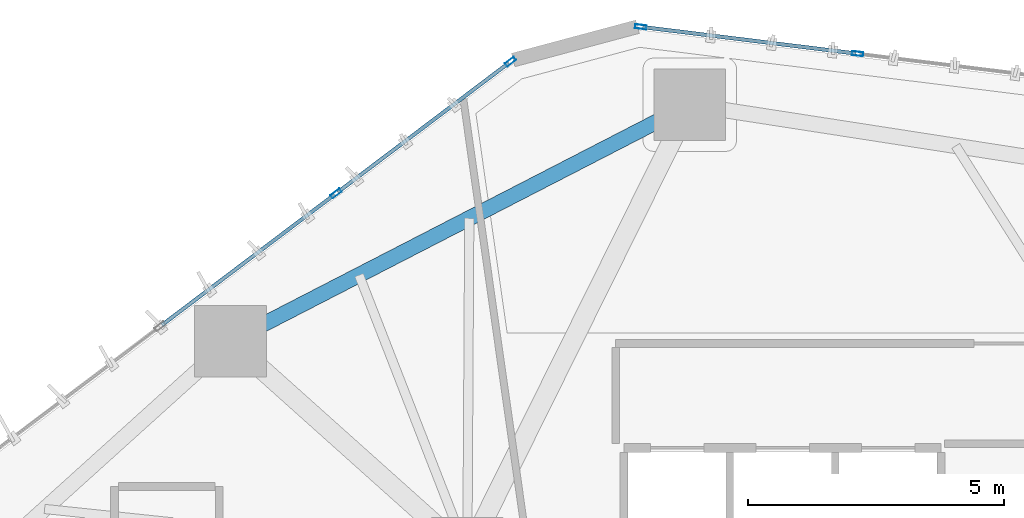
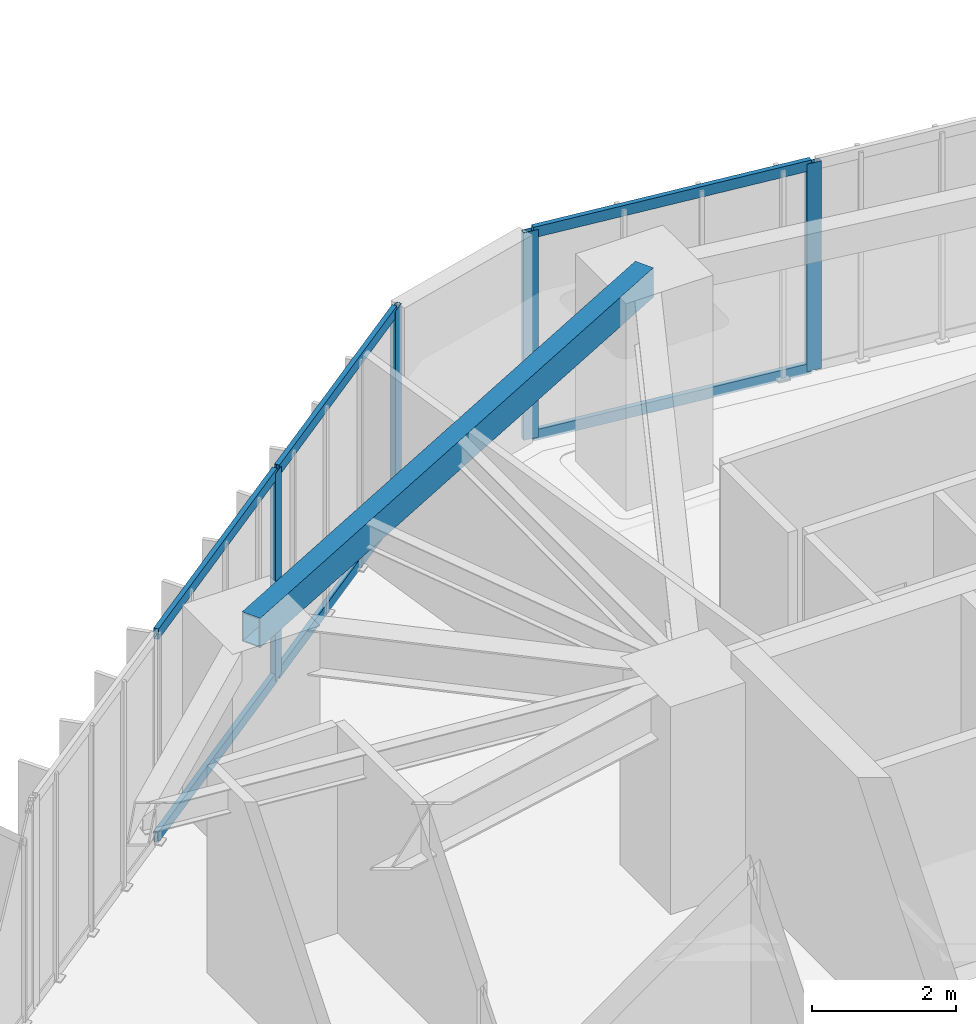
# One storey, part 14 of 23: 10 members, 1 beam, 2 elements without a shape of their own.
"""IFC4 building model written with IfcOpenShell, lengths in metres."""

from ifc_helpers import new_model, si_unit, direction, frame, origin, origin_2d, place, context, subcontext, project, spatial, hollow_rectangle, extrude, source, transform, mapped, material, layer, layer_set, material_profile, profile_set, type_object, type_shapes, element, aggregate, save


model = new_model("IFC4")

# Units and contexts
model_context = context("Model", 3, precision=1e-05, world=origin(), true_north=direction((0.0, 1.0)))
body_context = subcontext(model_context, "Body", "Model", "MODEL_VIEW")
ifc_project = project(units=[si_unit("LENGTHUNIT", "METRE"), si_unit("AREAUNIT", "SQUARE_METRE"), si_unit("VOLUMEUNIT", "CUBIC_METRE"), si_unit("PLANEANGLEUNIT", "RADIAN"), si_unit("MASSUNIT", "GRAM", prefix="KILO")], contexts=[model_context])

# Site, building, storey
site_placement = place(None, origin())
site = spatial("IfcSite", under=ifc_project, at=site_placement, CompositionType="ELEMENT")
building_placement = place(site_placement, origin())
building = spatial("IfcBuilding", under=site, at=building_placement, Name="Talar Marvaseh", CompositionType="ELEMENT")
storey_placement = place(building_placement, frame((0.0, 0.0, 69.60009765625)))
storey = spatial("IfcBuildingStorey", under=building, at=storey_placement, Name="L17", CompositionType="ELEMENT", Elevation=69.60009765625)

# Beam
ifc_material_1 = material(Name="Steel S355", Category="steel")
ifc_material_profile_1 = material_profile(ifc_material_1, hollow_rectangle(XDim=0.300048828125, YDim=0.5, WallThickness=0.02001953125, at=origin_2d()), Name="RHS500x300x20")
ifc_profile_set_1 = profile_set([ifc_material_profile_1], Name="Steel S355")
beam_type = type_object("IfcBeamType", Name="Zone 1 Perimeter Spandrel Beam RHS500x300x20", PredefinedType="SPANDREL", material=ifc_profile_set_1)
beam_placement = place(storey_placement, frame((14.069091796875, 41.04296875, 3.27001953125), z_axis=(0.889015710182, 0.457876694155, 0.0), x_axis=(-0.457876694155, 0.889015710182, 0.0)))
element("IfcBeam", 1, at=beam_placement, inside=storey, type_object=beam_type, Name="L17 Zone 1 Perimeter Spandrel Beam RHS500x300x20", PredefinedType="SPANDREL", context=body_context, shape_type="SweptSolid", body=[
    extrude(hollow_rectangle(XDim=0.300048828125, YDim=0.5, WallThickness=0.02001953125, at=origin_2d()), origin(), (0.0, 0.0, 1.0), 10.098876953125),
])

# Curtain wall, members
ifc_material_2 = material(Name="Architectural Aluminium", Category="aluminium")
ifc_layer = layer(ifc_material_2, 0.219970703125)
ifc_layer_set = layer_set([ifc_layer], Name="Architectural Aluminium")
curtain_wall_type = type_object("IfcCurtainWallType", Name="Unitised Low-E Museum Curtain Wall Z1", PredefinedType="NOTDEFINED", material=ifc_layer_set)
curtain_wall_1_placement = place(storey_placement, origin())
curtain_wall_1 = element("IfcCurtainWall", 2, at=curtain_wall_1_placement, inside=storey, type_object=curtain_wall_type, Name="L17 Unitised Low-E Museum Curtain Wall Z1", PredefinedType="NOTDEFINED")
ifc_material_profile_2 = material_profile(ifc_material_2, hollow_rectangle(XDim=0.080078125, YDim=0.219970703125, WallThickness=0.0048828125, at=origin_2d()), Name="RHS220x80x5")
ifc_profile_set_2 = profile_set([ifc_material_profile_2], Name="Architectural Aluminium")
member_type_1 = type_object("IfcMemberType", Name="Unitised Curtain Wall Heavy Mullion RHS220x80x5", PredefinedType="MULLION", material=ifc_profile_set_2)
shared_shape_1 = source(origin(), body_context, "Body", "SweptSolid", [
    extrude(hollow_rectangle(XDim=0.080078125, YDim=0.219970703125, WallThickness=0.0048828125, at=origin_2d()), origin(), (0.0, 0.0, 1.0), 3.52001953125),
])
type_shapes(member_type_1, [shared_shape_1])
member_1_placement = place(storey_placement, frame((16.13427734375, 43.93212890625, 0.0), z_axis=(0.0, 0.0, 1.0), x_axis=(-0.602762713543, 0.797920491755, 0.0)))
member_1 = element("IfcMember", 3, at=member_1_placement, type_object=member_type_1, Name="CW-Z1 mullion 4", PredefinedType="MULLION", context=body_context, shape_type="MappedRepresentation", body=[
    mapped(shared_shape_1, transform((0.0, 0.0, 0.0), x_axis=(1.0, 0.0, 0.0), y_axis=(0.0, 1.0, 0.0), z_axis=(0.0, 0.0, 1.0), scale=1.0)),
])
member_2_placement = place(storey_placement, frame((19.54296875, 46.507080078125, 0.0), z_axis=(0.0, 0.0, 1.0), x_axis=(-0.602762713543, 0.797920491755, 0.0)))
member_2 = element("IfcMember", 4, at=member_2_placement, type_object=member_type_1, Name="CW-Z1 mullion 5", PredefinedType="MULLION", context=body_context, shape_type="MappedRepresentation", body=[
    mapped(shared_shape_1, transform((0.0, 0.0, 0.0), x_axis=(1.0, 0.0, 0.0), y_axis=(0.0, 1.0, 0.0), z_axis=(0.0, 0.0, 1.0), scale=1.0)),
])

curtain_wall_2_placement = place(storey_placement, origin())
curtain_wall_2 = element("IfcCurtainWall", 5, at=curtain_wall_2_placement, inside=storey, type_object=curtain_wall_type, Name="L17 Unitised Low-E Museum Curtain Wall Z1", PredefinedType="NOTDEFINED")
member_3_placement = place(storey_placement, frame((22.08837890625, 47.18896484375, 0.0), z_axis=(0.0, 0.0, 1.0), x_axis=(0.123049205824, 0.992400570811, 0.0)))
member_3 = element("IfcMember", 6, at=member_3_placement, type_object=member_type_1, Name="CW-Z1 mullion 1", PredefinedType="MULLION", context=body_context, shape_type="MappedRepresentation", body=[
    mapped(shared_shape_1, transform((0.0, 0.0, 0.0), x_axis=(1.0, 0.0, 0.0), y_axis=(0.0, 1.0, 0.0), z_axis=(0.0, 0.0, 1.0), scale=1.0)),
])
member_4_placement = place(storey_placement, frame((26.327880859375, 46.663330078125, 0.0), z_axis=(0.0, 0.0, 1.0), x_axis=(0.123049205824, 0.992400570811, 0.0)))
member_4 = element("IfcMember", 7, at=member_4_placement, type_object=member_type_1, Name="CW-Z1 mullion 2", PredefinedType="MULLION", context=body_context, shape_type="MappedRepresentation", body=[
    mapped(shared_shape_1, transform((0.0, 0.0, 0.0), x_axis=(1.0, 0.0, 0.0), y_axis=(0.0, 1.0, 0.0), z_axis=(0.0, 0.0, 1.0), scale=1.0)),
])

# Member
ifc_material_profile_3 = material_profile(ifc_material_2, hollow_rectangle(XDim=0.074951171875, YDim=0.179931640625, WallThickness=0.0048828125, at=origin_2d()), Name="RHS180x75x5")
ifc_profile_set_3 = profile_set([ifc_material_profile_3], Name="Architectural Aluminium")
member_type_2 = type_object("IfcMemberType", Name="Unitised Curtain Wall Transom RHS180x75x5", PredefinedType="USERDEFINED", material=ifc_profile_set_3)
shared_shape_2 = source(origin(), body_context, "Body", "SweptSolid", [
    extrude(hollow_rectangle(XDim=0.074951171875, YDim=0.179931640625, WallThickness=0.0048828125, at=origin_2d()), origin(), (0.0, 0.0, 1.0), 4.19189453125),
])
member_5_placement = place(storey_placement, frame((16.166259765625, 43.956298828125, 0.037353515625), z_axis=(0.79792646006, 0.602754812785, 0.0), x_axis=(-0.602754812785, 0.79792646006, 0.0)))
member_5 = element("IfcMember", 8, at=member_5_placement, type_object=member_type_2, Name="CW-Z1 transom 4.1", ObjectType="TRANSOM", PredefinedType="USERDEFINED", context=body_context, shape_type="MappedRepresentation", body=[
    mapped(shared_shape_2, transform((0.0, 0.0, 0.0), x_axis=(1.0, 0.0, 0.0), y_axis=(0.0, 1.0, 0.0), z_axis=(0.0, 0.0, 1.0), scale=1.0)),
])

member_6_placement = place(storey_placement, frame((16.166259765625, 43.956298828125, 3.482421875), z_axis=(0.79792646006, 0.602754812785, 0.0), x_axis=(-0.602754812785, 0.79792646006, 0.0)))
member_6 = element("IfcMember", 9, at=member_6_placement, type_object=member_type_2, Name="CW-Z1 transom 4.2", ObjectType="TRANSOM", PredefinedType="USERDEFINED", context=body_context, shape_type="MappedRepresentation", body=[
    mapped(shared_shape_2, transform((0.0, 0.0, 0.0), x_axis=(1.0, 0.0, 0.0), y_axis=(0.0, 1.0, 0.0), z_axis=(0.0, 0.0, 1.0), scale=1.0)),
])

shared_shape_3 = source(origin(), body_context, "Body", "SweptSolid", [
    extrude(hollow_rectangle(XDim=0.074951171875, YDim=0.179931640625, WallThickness=0.0048828125, at=origin_2d()), origin(), (0.0, 0.0, 1.0), 4.23193359375),
])
member_7_placement = place(storey_placement, frame((12.725830078125, 41.357177734375, 0.037353515625), z_axis=(0.797925283353, 0.602756370506, 0.0), x_axis=(-0.602756370506, 0.797925283353, 0.0)))
member_7 = element("IfcMember", 10, at=member_7_placement, type_object=member_type_2, Name="CW-Z1 transom 3.1", ObjectType="TRANSOM", PredefinedType="USERDEFINED", context=body_context, shape_type="MappedRepresentation", body=[
    mapped(shared_shape_3, transform((0.0, 0.0, 0.0), x_axis=(1.0, 0.0, 0.0), y_axis=(0.0, 1.0, 0.0), z_axis=(0.0, 0.0, 1.0), scale=1.0)),
])

member_8_placement = place(storey_placement, frame((12.725830078125, 41.357177734375, 3.482421875), z_axis=(0.797925283353, 0.602756370506, 0.0), x_axis=(-0.602756370506, 0.797925283353, 0.0)))
member_8 = element("IfcMember", 11, at=member_8_placement, type_object=member_type_2, Name="CW-Z1 transom 3.2", ObjectType="TRANSOM", PredefinedType="USERDEFINED", context=body_context, shape_type="MappedRepresentation", body=[
    mapped(shared_shape_3, transform((0.0, 0.0, 0.0), x_axis=(1.0, 0.0, 0.0), y_axis=(0.0, 1.0, 0.0), z_axis=(0.0, 0.0, 1.0), scale=1.0)),
])

aggregate(curtain_wall_1, [member_1, member_2, member_7, member_8, member_5, member_6])

shared_shape_4 = source(origin(), body_context, "Body", "SweptSolid", [
    extrude(hollow_rectangle(XDim=0.074951171875, YDim=0.179931640625, WallThickness=0.0048828125, at=origin_2d()), origin(), (0.0, 0.0, 1.0), 4.191650390625),
])
type_shapes(member_type_2, [shared_shape_2, shared_shape_3, shared_shape_4])
member_9_placement = place(storey_placement, frame((22.128173828125, 47.18408203125, 0.037353515625), z_axis=(0.992405482218, -0.1230095885, 0.0), x_axis=(0.1230095885, 0.992405482218, 0.0)))
member_9 = element("IfcMember", 12, at=member_9_placement, type_object=member_type_2, Name="CW-Z1 transom 1.1", ObjectType="TRANSOM", PredefinedType="USERDEFINED", context=body_context, shape_type="MappedRepresentation", body=[
    mapped(shared_shape_4, transform((0.0, 0.0, 0.0), x_axis=(1.0, 0.0, 0.0), y_axis=(0.0, 1.0, 0.0), z_axis=(0.0, 0.0, 1.0), scale=1.0)),
])

member_10_placement = place(storey_placement, frame((22.128173828125, 47.18408203125, 3.482421875), z_axis=(0.992405482218, -0.1230095885, 0.0), x_axis=(0.1230095885, 0.992405482218, 0.0)))
member_10 = element("IfcMember", 13, at=member_10_placement, type_object=member_type_2, Name="CW-Z1 transom 1.2", ObjectType="TRANSOM", PredefinedType="USERDEFINED", context=body_context, shape_type="MappedRepresentation", body=[
    mapped(shared_shape_4, transform((0.0, 0.0, 0.0), x_axis=(1.0, 0.0, 0.0), y_axis=(0.0, 1.0, 0.0), z_axis=(0.0, 0.0, 1.0), scale=1.0)),
])

aggregate(curtain_wall_2, [member_3, member_4, member_9, member_10])

save(model, "model.ifc")
